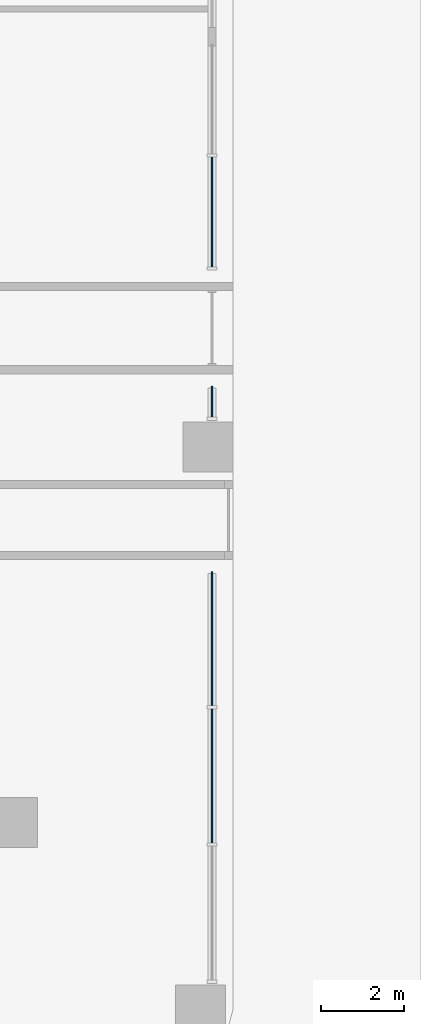
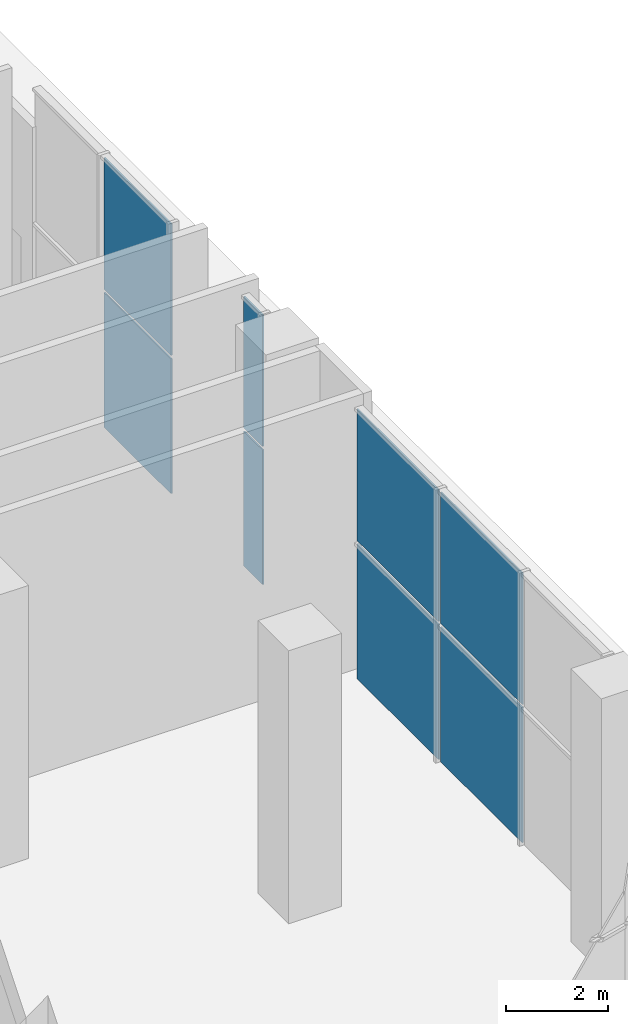
# One storey, part 16 of 34: 8 plates, 1 element without a shape of its own.
"""IFC4 building model written with IfcOpenShell, lengths in metres."""

from ifc_helpers import new_model, si_unit, direction, origin, place, context, subcontext, project, spatial, polyline, outline, extrude, source, transform, mapped, material, layer, layer_set, type_object, element, aggregate, save


model = new_model("IFC4")

# Units and contexts
model_context = context("Model", 3, precision=1e-05, world=origin(), true_north=direction((0.0, 1.0)))
body_context = subcontext(model_context, "Body", "Model", "MODEL_VIEW")
ifc_project = project(units=[si_unit("LENGTHUNIT", "METRE"), si_unit("AREAUNIT", "SQUARE_METRE"), si_unit("VOLUMEUNIT", "CUBIC_METRE"), si_unit("PLANEANGLEUNIT", "RADIAN"), si_unit("MASSUNIT", "GRAM", prefix="KILO")], contexts=[model_context])

# Site, building, storey
site_placement = place(None, origin())
site = spatial("IfcSite", under=ifc_project, at=site_placement, CompositionType="ELEMENT")
building_placement = place(site_placement, origin())
building = spatial("IfcBuilding", under=site, at=building_placement, Name="Zarbagh Exchange Tower", CompositionType="ELEMENT")
storey_placement = place(building_placement, origin())
storey = spatial("IfcBuildingStorey", under=building, at=storey_placement, Name="L00", CompositionType="ELEMENT", Elevation=0.0)

# Curtain wall, plates
ifc_material_1 = material(Name="Anodised aluminium frame and glazing", Category="aluminium")
curtain_wall_type = type_object("IfcCurtainWallType", Name="CWC Podium garden-wall glazing", PredefinedType="NOTDEFINED", material=ifc_material_1)
curtain_wall_placement = place(storey_placement, origin())
curtain_wall = element("IfcCurtainWall", 1, at=curtain_wall_placement, inside=storey, type_object=curtain_wall_type, Name="CWC13 curtain wall", PredefinedType="NOTDEFINED")
ifc_material_2 = material(Name="Low-e double glazed unit, 6+12+6 mm")
ifc_layer = layer(ifc_material_2, 0.031982421875)
ifc_layer_set = layer_set([ifc_layer], Name="PAC Glazing panel, Low-e double glazed unit, 6+12+6 mm")
plate_type = type_object("IfcPlateType", Name="PAC Glazing panel, Low-e double glazed unit, 6+12+6 mm", PredefinedType="CURTAIN_PANEL", material=ifc_layer_set)
shared_shape_1 = source(origin(), body_context, "Body", "SweptSolid", [
    extrude(outline(polyline([(0.0, -0.01611328125), (3.2099609375, -0.01611328125), (3.2099609375, 0.01611328125), (0.0, 0.01611328125), (0.0, -0.01611328125)])), origin(), (0.0, 0.0, 1.0), 3.235107421875),
])
placement = place(storey_placement, origin())
plate_1 = element("IfcPlate", 2, at=placement, type_object=plate_type, Name="CWC13 glazing panel 1.2", PredefinedType="CURTAIN_PANEL", context=body_context, shape_type="MappedRepresentation", body=[
    mapped(shared_shape_1, transform((55.75, -20.739990234375, 0.0), x_axis=(0.0, 1.0, 0.0), y_axis=(-1.0, 0.0, 0.0), z_axis=(0.0, 0.0, 1.0))),
])
plate_2 = element("IfcPlate", 3, at=placement, type_object=plate_type, Name="CWC13 glazing panel 1.3", PredefinedType="CURTAIN_PANEL", context=body_context, shape_type="MappedRepresentation", body=[
    mapped(shared_shape_1, transform((55.75, -17.449951171875, 0.0), x_axis=(0.0, 1.0, 0.0), y_axis=(-1.0, 0.0, 0.0), z_axis=(0.0, 0.0, 1.0))),
])
shared_shape_2 = source(origin(), body_context, "Body", "SweptSolid", [
    extrude(outline(polyline([(0.0, -0.01611328125), (3.2099609375, -0.01611328125), (3.2099609375, 0.01611328125), (0.0, 0.01611328125), (0.0, -0.01611328125)])), origin(), (0.0, 0.0, 1.0), 3.155029296875),
])
plate_3 = element("IfcPlate", 4, at=placement, type_object=plate_type, Name="CWC13 glazing panel 1.2", PredefinedType="CURTAIN_PANEL", context=body_context, shape_type="MappedRepresentation", body=[
    mapped(shared_shape_2, transform((55.75, -20.739990234375, 3.31494140625), x_axis=(0.0, 1.0, 0.0), y_axis=(-1.0, 0.0, 0.0), z_axis=(0.0, 0.0, 1.0))),
])
plate_4 = element("IfcPlate", 5, at=placement, type_object=plate_type, Name="CWC13 glazing panel 1.3", PredefinedType="CURTAIN_PANEL", context=body_context, shape_type="MappedRepresentation", body=[
    mapped(shared_shape_2, transform((55.75, -17.449951171875, 3.31494140625), x_axis=(0.0, 1.0, 0.0), y_axis=(-1.0, 0.0, 0.0), z_axis=(0.0, 0.0, 1.0))),
])
shared_shape_3 = source(origin(), body_context, "Body", "SweptSolid", [
    extrude(outline(polyline([(0.0, -0.01611328125), (0.739990234375, -0.01611328125), (0.739990234375, 0.01611328125), (0.0, 0.01611328125), (0.0, -0.01611328125)])), origin(), (0.0, 0.0, 1.0), 3.235107421875),
])
plate_5 = element("IfcPlate", 6, at=placement, type_object=plate_type, Name="CWC13 glazing panel 2.1", PredefinedType="CURTAIN_PANEL", context=body_context, shape_type="MappedRepresentation", body=[
    mapped(shared_shape_3, transform((55.75, -10.530029296875, 0.0), x_axis=(0.0, 1.0, 0.0), y_axis=(-1.0, 0.0, 0.0), z_axis=(0.0, 0.0, 1.0))),
])
shared_shape_4 = source(origin(), body_context, "Body", "SweptSolid", [
    extrude(outline(polyline([(0.0, -0.01611328125), (0.739990234375, -0.01611328125), (0.739990234375, 0.01611328125), (0.0, 0.01611328125), (0.0, -0.01611328125)])), origin(), (0.0, 0.0, 1.0), 3.155029296875),
])
plate_6 = element("IfcPlate", 7, at=placement, type_object=plate_type, Name="CWC13 glazing panel 2.1", PredefinedType="CURTAIN_PANEL", context=body_context, shape_type="MappedRepresentation", body=[
    mapped(shared_shape_4, transform((55.75, -10.530029296875, 3.31494140625), x_axis=(0.0, 1.0, 0.0), y_axis=(-1.0, 0.0, 0.0), z_axis=(0.0, 0.0, 1.0))),
])
shared_shape_5 = source(origin(), body_context, "Body", "SweptSolid", [
    extrude(outline(polyline([(0.0, -0.01611328125), (2.6298828125, -0.01611328125), (2.6298828125, 0.01611328125), (0.0, 0.01611328125), (0.0, -0.01611328125)])), origin(), (0.0, 0.0, 1.0), 3.235107421875),
])
plate_7 = element("IfcPlate", 8, at=placement, type_object=plate_type, Name="CWC13 glazing panel 3.1", PredefinedType="CURTAIN_PANEL", context=body_context, shape_type="MappedRepresentation", body=[
    mapped(shared_shape_5, transform((55.75, -6.929931640625, 0.0), x_axis=(0.0, 1.0, 0.0), y_axis=(-1.0, 0.0, 0.0), z_axis=(0.0, 0.0, 1.0))),
])
shared_shape_6 = source(origin(), body_context, "Body", "SweptSolid", [
    extrude(outline(polyline([(0.0, -0.01611328125), (2.6298828125, -0.01611328125), (2.6298828125, 0.01611328125), (0.0, 0.01611328125), (0.0, -0.01611328125)])), origin(), (0.0, 0.0, 1.0), 3.155029296875),
])
plate_8 = element("IfcPlate", 9, at=placement, type_object=plate_type, Name="CWC13 glazing panel 3.1", PredefinedType="CURTAIN_PANEL", context=body_context, shape_type="MappedRepresentation", body=[
    mapped(shared_shape_6, transform((55.75, -6.929931640625, 3.31494140625), x_axis=(0.0, 1.0, 0.0), y_axis=(-1.0, 0.0, 0.0), z_axis=(0.0, 0.0, 1.0))),
])
aggregate(curtain_wall, [plate_1, plate_3, plate_2, plate_4, plate_5, plate_6, plate_7, plate_8])

save(model, "model.ifc")
